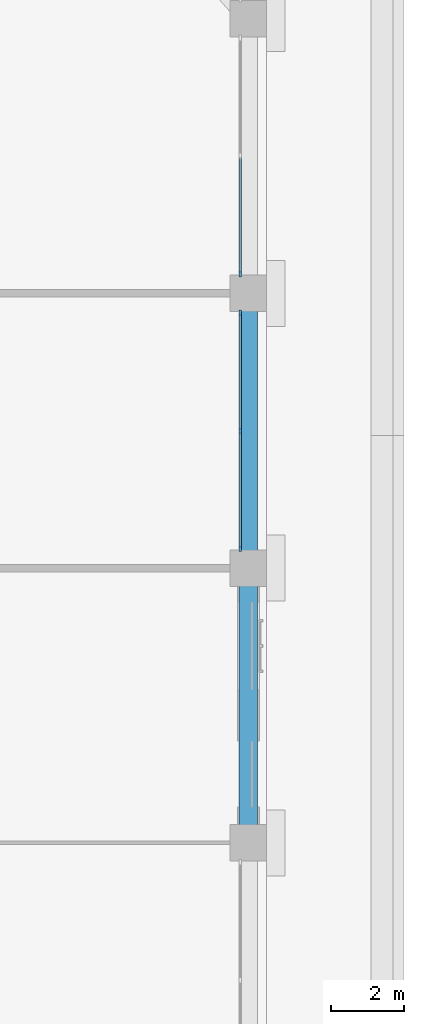
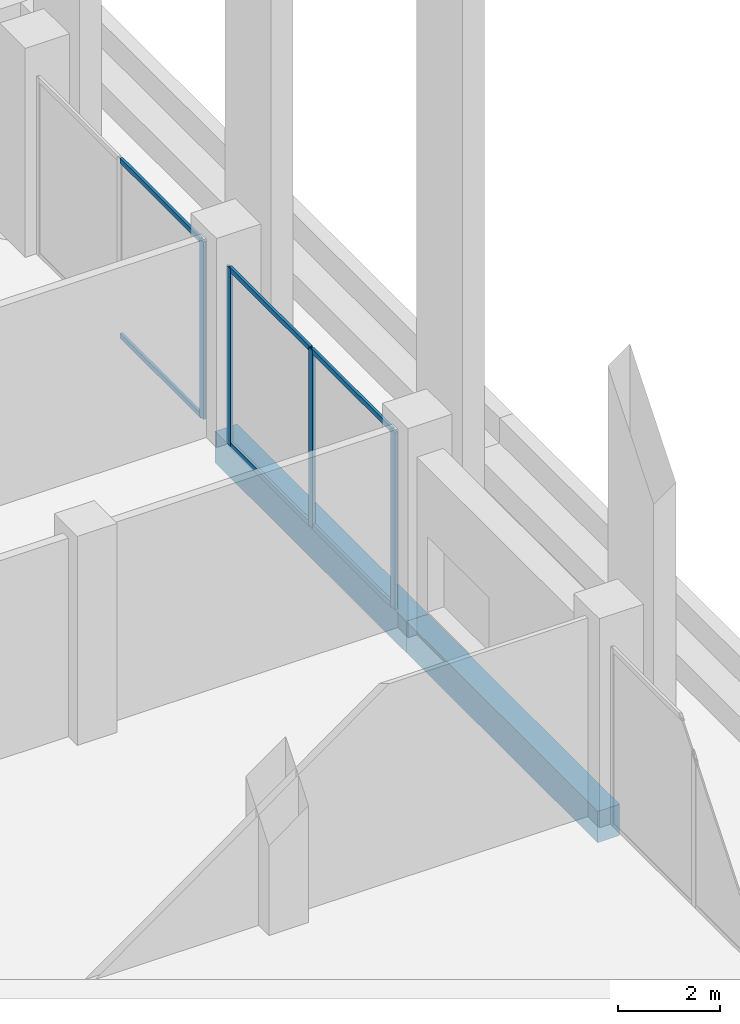
# One storey, part 7 of 19: 10 members, 2 beams, 2 elements without a shape of their own.
"""IFC4 building model written with IfcOpenShell, lengths in metres."""

from ifc_helpers import new_model, si_unit, direction, frame, origin, origin_2d, place, context, subcontext, project, spatial, rectangle, extrude, material, layer, layer_set, material_profile, profile_set, type_object, element, aggregate, save


model = new_model("IFC4")

# Units and contexts
model_context = context("Model", 3, precision=1e-05, world=origin(), true_north=direction((0.0, 1.0)))
body_context = subcontext(model_context, "Body", "Model", "MODEL_VIEW")
ifc_project = project(units=[si_unit("LENGTHUNIT", "METRE"), si_unit("AREAUNIT", "SQUARE_METRE"), si_unit("VOLUMEUNIT", "CUBIC_METRE"), si_unit("PLANEANGLEUNIT", "RADIAN"), si_unit("MASSUNIT", "GRAM", prefix="KILO")], contexts=[model_context])

# Site, building, storey
site_placement = place(None, origin())
site = spatial("IfcSite", under=ifc_project, at=site_placement, CompositionType="ELEMENT")
building_placement = place(site_placement, origin())
building = spatial("IfcBuilding", under=site, at=building_placement, Name="Tamorin Gate", CompositionType="ELEMENT")
storey_placement = place(building_placement, frame((0.0, 0.0, 174.199951171875)))
storey = spatial("IfcBuildingStorey", under=building, at=storey_placement, Name="L42", CompositionType="ELEMENT", Elevation=174.199951171875)

# Curtain wall, members
ifc_material_1 = material(Name="Aluminium mullions and transoms with clear glass", Category="aluminium")
ifc_layer = layer(ifc_material_1, 0.159912109375)
ifc_layer_set = layer_set([ifc_layer], Name="Curtain wall system CW2")
curtain_wall_type = type_object("IfcCurtainWallType", Name="Curtain wall system CW2", PredefinedType="NOTDEFINED", material=ifc_layer_set)
curtain_wall_1_placement = place(storey_placement, origin())
curtain_wall_1 = element("IfcCurtainWall", 1, at=curtain_wall_1_placement, inside=storey, type_object=curtain_wall_type, Name="Curtain wall", PredefinedType="NOTDEFINED")
ifc_material_2 = material(Name="Aluminium", Category="aluminium")
ifc_material_profile_1 = material_profile(ifc_material_2, rectangle(XDim=0.06005859375, YDim=0.159912109375, at=origin_2d()), Name="RECT 60x160")
ifc_profile_set_1 = profile_set([ifc_material_profile_1], Name="Aluminium")
member_type_1 = type_object("IfcMemberType", Name="Aluminium mullion 60x160", PredefinedType="MULLION", material=ifc_profile_set_1)
member_1_placement = place(storey_placement, frame((81.780029296875, 75.530029296875, 0.0), z_axis=(0.0, 0.0, 1.0), x_axis=(-1.0, 0.0, 0.0)))
member_1 = element("IfcMember", 2, at=member_1_placement, type_object=member_type_1, Name="CW2 mullion 1", PredefinedType="MULLION", context=body_context, shape_type="SweptSolid", body=[
    extrude(rectangle(XDim=0.06005859375, YDim=0.159912109375, at=origin_2d()), origin(), (0.0, 0.0, 1.0), 4.25),
])
member_2_placement = place(storey_placement, frame((81.780029296875, 78.75, 0.0), z_axis=(0.0, 0.0, 1.0), x_axis=(-1.0, 0.0, 0.0)))
member_2 = element("IfcMember", 3, at=member_2_placement, type_object=member_type_1, Name="CW2 mullion 2", PredefinedType="MULLION", context=body_context, shape_type="SweptSolid", body=[
    extrude(rectangle(XDim=0.06005859375, YDim=0.159912109375, at=origin_2d()), origin(), (0.0, 0.0, 1.0), 4.25),
])
member_3_placement = place(storey_placement, frame((81.780029296875, 81.969970703125, 0.0), z_axis=(0.0, 0.0, 1.0), x_axis=(-1.0, 0.0, 0.0)))
member_3 = element("IfcMember", 4, at=member_3_placement, type_object=member_type_1, Name="CW2 mullion 3", PredefinedType="MULLION", context=body_context, shape_type="SweptSolid", body=[
    extrude(rectangle(XDim=0.06005859375, YDim=0.159912109375, at=origin_2d()), origin(), (0.0, 0.0, 1.0), 4.25),
])

# Curtain wall, member
curtain_wall_2_placement = place(storey_placement, origin())
curtain_wall_2 = element("IfcCurtainWall", 5, at=curtain_wall_2_placement, inside=storey, type_object=curtain_wall_type, Name="Curtain wall", PredefinedType="NOTDEFINED")
member_4_placement = place(storey_placement, frame((81.780029296875, 83.030029296875, 0.0), z_axis=(0.0, 0.0, 1.0), x_axis=(-1.0, 0.0, 0.0)))
member_4 = element("IfcMember", 6, at=member_4_placement, type_object=member_type_1, Name="CW2 mullion 1", PredefinedType="MULLION", context=body_context, shape_type="SweptSolid", body=[
    extrude(rectangle(XDim=0.06005859375, YDim=0.159912109375, at=origin_2d()), origin(), (0.0, 0.0, 1.0), 4.25),
])

# Member
ifc_material_profile_2 = material_profile(ifc_material_2, rectangle(XDim=0.06005859375, YDim=0.1201171875, at=origin_2d()), Name="RECT 60x120")
ifc_profile_set_2 = profile_set([ifc_material_profile_2], Name="Aluminium")
member_type_2 = type_object("IfcMemberType", Name="Aluminium transom 60x120", PredefinedType="USERDEFINED", material=ifc_profile_set_2)
member_5_placement = place(storey_placement, frame((81.780029296875, 75.56005859375, 0.030029296875), z_axis=(0.0, 1.0, 0.0), x_axis=(-1.0, 0.0, 0.0)))
member_5 = element("IfcMember", 7, at=member_5_placement, type_object=member_type_2, Name="CW2 transom 1.1", ObjectType="TRANSOM", PredefinedType="USERDEFINED", context=body_context, shape_type="SweptSolid", body=[
    extrude(rectangle(XDim=0.06005859375, YDim=0.1201171875, at=origin_2d()), origin(), (0.0, 0.0, 1.0), 3.159912109375),
])

member_6_placement = place(storey_placement, frame((81.780029296875, 75.56005859375, 4.219970703125), z_axis=(0.0, 1.0, 0.0), x_axis=(-1.0, 0.0, 0.0)))
member_6 = element("IfcMember", 8, at=member_6_placement, type_object=member_type_2, Name="CW2 transom 1.2", ObjectType="TRANSOM", PredefinedType="USERDEFINED", context=body_context, shape_type="SweptSolid", body=[
    extrude(rectangle(XDim=0.06005859375, YDim=0.1201171875, at=origin_2d()), origin(), (0.0, 0.0, 1.0), 3.159912109375),
])

member_7_placement = place(storey_placement, frame((81.780029296875, 78.780029296875, 0.030029296875), z_axis=(0.0, 1.0, 0.0), x_axis=(-1.0, 0.0, 0.0)))
member_7 = element("IfcMember", 9, at=member_7_placement, type_object=member_type_2, Name="CW2 transom 2.1", ObjectType="TRANSOM", PredefinedType="USERDEFINED", context=body_context, shape_type="SweptSolid", body=[
    extrude(rectangle(XDim=0.06005859375, YDim=0.1201171875, at=origin_2d()), origin(), (0.0, 0.0, 1.0), 3.159912109375),
])

member_8_placement = place(storey_placement, frame((81.780029296875, 78.780029296875, 4.219970703125), z_axis=(0.0, 1.0, 0.0), x_axis=(-1.0, 0.0, 0.0)))
member_8 = element("IfcMember", 10, at=member_8_placement, type_object=member_type_2, Name="CW2 transom 2.2", ObjectType="TRANSOM", PredefinedType="USERDEFINED", context=body_context, shape_type="SweptSolid", body=[
    extrude(rectangle(XDim=0.06005859375, YDim=0.1201171875, at=origin_2d()), origin(), (0.0, 0.0, 1.0), 3.159912109375),
])

aggregate(curtain_wall_1, [member_1, member_2, member_3, member_5, member_6, member_7, member_8])

member_9_placement = place(storey_placement, frame((81.780029296875, 83.06005859375, 0.030029296875), z_axis=(0.0, 1.0, 0.0), x_axis=(-1.0, 0.0, 0.0)))
member_9 = element("IfcMember", 11, at=member_9_placement, type_object=member_type_2, Name="CW2 transom 1.1", ObjectType="TRANSOM", PredefinedType="USERDEFINED", context=body_context, shape_type="SweptSolid", body=[
    extrude(rectangle(XDim=0.06005859375, YDim=0.1201171875, at=origin_2d()), origin(), (0.0, 0.0, 1.0), 3.159912109375),
])

member_10_placement = place(storey_placement, frame((81.780029296875, 83.06005859375, 4.219970703125), z_axis=(0.0, 1.0, 0.0), x_axis=(-1.0, 0.0, 0.0)))
member_10 = element("IfcMember", 12, at=member_10_placement, type_object=member_type_2, Name="CW2 transom 1.2", ObjectType="TRANSOM", PredefinedType="USERDEFINED", context=body_context, shape_type="SweptSolid", body=[
    extrude(rectangle(XDim=0.06005859375, YDim=0.1201171875, at=origin_2d()), origin(), (0.0, 0.0, 1.0), 3.159912109375),
])

aggregate(curtain_wall_2, [member_4, member_9, member_10])

# Beams
ifc_material_3 = material(Name="Concrete C50/60", Category="concrete")
ifc_material_profile_3 = material_profile(ifc_material_3, rectangle(XDim=0.5, YDim=0.75, at=origin_2d()), Name="RC 500x750")
ifc_profile_set_3 = profile_set([ifc_material_profile_3], Name="Concrete C50/60")
beam_type = type_object("IfcBeamType", Name="RC spandrel 500x750 C50/60", PredefinedType="BEAM", material=ifc_profile_set_3)
for number, where, z_axis, x_axis, name in (
    (13, (82.0, 67.5, -0.375), (0.0, 1.0, 0.0), (-1.0, 0.0, 0.0), "Spandrel beam L42"),
    (14, (82.0, 75.0, -0.375), (0.0, 1.0, 0.0), (-1.0, 0.0, 0.0), "Spandrel beam L42"),
):
    element("IfcBeam", number, at=place(storey_placement, frame(where, z_axis=z_axis, x_axis=x_axis)), inside=storey, type_object=beam_type, Name=name, PredefinedType="BEAM", context=body_context, shape_type="SweptSolid", body=[
        extrude(rectangle(XDim=0.5, YDim=0.75, at=origin_2d()), origin(), (0.0, 0.0, 1.0), 7.5),
    ])

save(model, "model.ifc")
